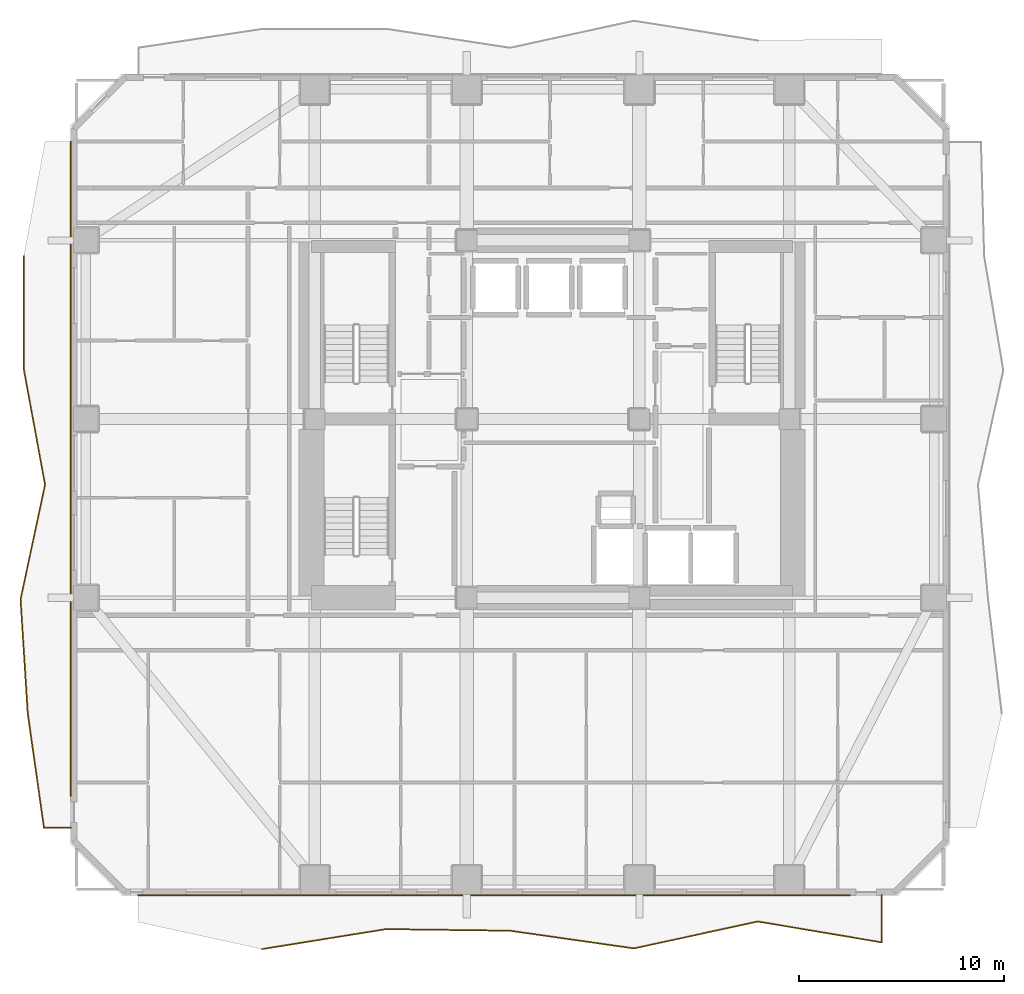
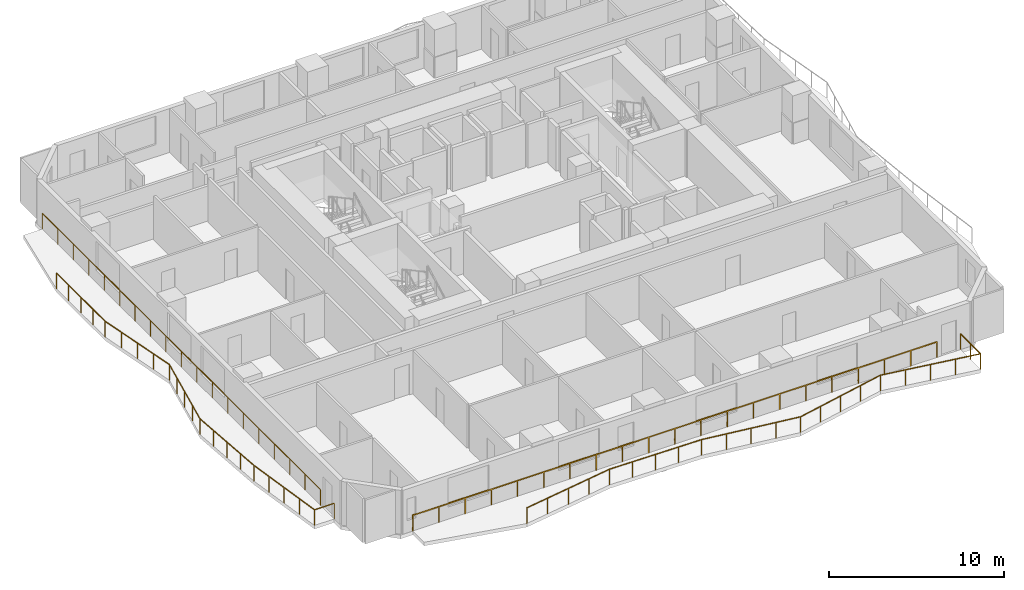
# One storey, part 8 of 11: 4 railings.
"""IFC4 building model written with IfcOpenShell, lengths in metres."""

from ifc_helpers import new_model, si_unit, direction, frame, origin, origin_2d, place, context, subcontext, project, spatial, rectangle, extrude, material, type_object, element, save


model = new_model("IFC4")

# Units and contexts
model_context = context("Model", 3, precision=1e-05, world=origin(), true_north=direction((0.0, 1.0)))
body_context = subcontext(model_context, "Body", "Model", "MODEL_VIEW")
ifc_project = project(units=[si_unit("LENGTHUNIT", "METRE"), si_unit("AREAUNIT", "SQUARE_METRE"), si_unit("VOLUMEUNIT", "CUBIC_METRE"), si_unit("PLANEANGLEUNIT", "RADIAN"), si_unit("MASSUNIT", "GRAM", prefix="KILO")], contexts=[model_context])

# Site, building, storey
site_placement = place(None, origin())
site = spatial("IfcSite", under=ifc_project, at=site_placement, CompositionType="ELEMENT")
building_placement = place(site_placement, origin())
building = spatial("IfcBuilding", under=site, at=building_placement, Name="Solanera Arch Residences", CompositionType="ELEMENT")
storey_placement = place(building_placement, frame((0.0, 0.0, 28.639892578125)))
storey = spatial("IfcBuildingStorey", under=building, at=storey_placement, Name="L07", CompositionType="ELEMENT", Elevation=28.639892578125)

# Railings
ifc_material = material(Name="Steel S355 (ASTM A992 / A572 Grade 50)", Category="steel")
railing_type = type_object("IfcRailingType", Name="Balustrade Railing BL-1100", PredefinedType="BALUSTRADE", material=ifc_material)
railing_1_placement = place(storey_placement, frame((10.8330078125, 4.89404296875, 0.0)))
element("IfcRailing", 1, at=railing_1_placement, inside=storey, type_object=railing_type, Name="L07 S Balcony Balustrade 1", PredefinedType="BALUSTRADE", context=body_context, shape_type="SweptSolid", body=[
    extrude(rectangle(XDim=0.048095703125, YDim=0.048095703125, at=origin_2d()), frame((0.0, 0.0, 1.09619140625), z_axis=(0.987274320338, 0.159026464466, 0.0), x_axis=(-0.159026464466, 0.987274320338, 0.0)), (0.0, 0.0, 1.0), 6.11181640625),
    extrude(rectangle(XDim=0.048095703125, YDim=0.048095703125, at=origin_2d()), frame((6.033935546875, 0.971923828125, 1.09619140625), z_axis=(0.999916686294, -0.012908155191, 0.0), x_axis=(0.012908155191, 0.999916686294, 0.0)), (0.0, 0.0, 1.0), 6.033447265625),
    extrude(rectangle(XDim=0.048095703125, YDim=0.048095703125, at=origin_2d()), frame((12.06689453125, 0.89404296875, 1.09619140625), z_axis=(0.989967912954, -0.14129236116, 0.0), x_axis=(0.14129236116, 0.989967912954, 0.0)), (0.0, 0.0, 1.0), 6.09423828125),
    extrude(rectangle(XDim=0.048095703125, YDim=0.048095703125, at=origin_2d()), frame((18.10009765625, 0.032958984375, 1.09619140625), z_axis=(0.977199553197, 0.212322945607, 0.0), x_axis=(-0.212322945607, 0.977199553197, 0.0)), (0.0, 0.0, 1.0), 6.1748046875),
    extrude(rectangle(XDim=0.048095703125, YDim=0.048095703125, at=origin_2d()), frame((24.134033203125, 1.343994140625, 1.09619140625), z_axis=(0.986084825782, -0.166242943799, 0.0), x_axis=(0.166242943799, 0.986084825782, 0.0)), (0.0, 0.0, 1.0), 6.1181640625),
    extrude(rectangle(XDim=0.048095703125, YDim=0.048095703125, at=origin_2d()), frame((30.1669921875, 0.326904296875, 1.09619140625), z_axis=(0.0, 1.0, 0.0), x_axis=(-1.0, 0.0, 0.0)), (0.0, 0.0, 1.0), 2.299072265625),
    extrude(rectangle(XDim=0.0419921875, YDim=0.0419921875, at=origin_2d()), origin(), (0.0, 0.0, 1.0), 1.072021484375),
    extrude(rectangle(XDim=0.0419921875, YDim=0.0419921875, at=origin_2d()), frame((1.508544921875, 0.242919921875, 0.0)), (0.0, 0.0, 1.0), 1.072021484375),
    extrude(rectangle(XDim=0.0419921875, YDim=0.0419921875, at=origin_2d()), frame((3.01708984375, 0.48583984375, 0.0)), (0.0, 0.0, 1.0), 1.072021484375),
    extrude(rectangle(XDim=0.0419921875, YDim=0.0419921875, at=origin_2d()), frame((4.525390625, 0.72900390625, 0.0)), (0.0, 0.0, 1.0), 1.072021484375),
    extrude(rectangle(XDim=0.0419921875, YDim=0.0419921875, at=origin_2d()), frame((6.033935546875, 0.971923828125, 0.0)), (0.0, 0.0, 1.0), 1.072021484375),
    extrude(rectangle(XDim=0.0419921875, YDim=0.0419921875, at=origin_2d()), frame((7.542236328125, 0.952392578125, 0.0)), (0.0, 0.0, 1.0), 1.072021484375),
    extrude(rectangle(XDim=0.0419921875, YDim=0.0419921875, at=origin_2d()), frame((9.05029296875, 0.93310546875, 0.0)), (0.0, 0.0, 1.0), 1.072021484375),
    extrude(rectangle(XDim=0.0419921875, YDim=0.0419921875, at=origin_2d()), frame((10.55859375, 0.91357421875, 0.0)), (0.0, 0.0, 1.0), 1.072021484375),
    extrude(rectangle(XDim=0.0419921875, YDim=0.0419921875, at=origin_2d()), frame((12.06689453125, 0.89404296875, 0.0)), (0.0, 0.0, 1.0), 1.072021484375),
    extrude(rectangle(XDim=0.0419921875, YDim=0.0419921875, at=origin_2d()), frame((13.5751953125, 0.6787109375, 0.0)), (0.0, 0.0, 1.0), 1.072021484375),
    extrude(rectangle(XDim=0.0419921875, YDim=0.0419921875, at=origin_2d()), frame((15.08349609375, 0.46337890625, 0.0)), (0.0, 0.0, 1.0), 1.072021484375),
    extrude(rectangle(XDim=0.0419921875, YDim=0.0419921875, at=origin_2d()), frame((16.591796875, 0.248291015625, 0.0)), (0.0, 0.0, 1.0), 1.072021484375),
    extrude(rectangle(XDim=0.0419921875, YDim=0.0419921875, at=origin_2d()), frame((18.10009765625, 0.032958984375, 0.0)), (0.0, 0.0, 1.0), 1.072021484375),
    extrude(rectangle(XDim=0.0419921875, YDim=0.0419921875, at=origin_2d()), frame((19.608642578125, 0.36083984375, 0.0)), (0.0, 0.0, 1.0), 1.072021484375),
    extrude(rectangle(XDim=0.0419921875, YDim=0.0419921875, at=origin_2d()), frame((21.1171875, 0.6884765625, 0.0)), (0.0, 0.0, 1.0), 1.072021484375),
    extrude(rectangle(XDim=0.0419921875, YDim=0.0419921875, at=origin_2d()), frame((22.62548828125, 1.01611328125, 0.0)), (0.0, 0.0, 1.0), 1.072021484375),
    extrude(rectangle(XDim=0.0419921875, YDim=0.0419921875, at=origin_2d()), frame((24.134033203125, 1.343994140625, 0.0)), (0.0, 0.0, 1.0), 1.072021484375),
    extrude(rectangle(XDim=0.0419921875, YDim=0.0419921875, at=origin_2d()), frame((25.642333984375, 1.08984375, 0.0)), (0.0, 0.0, 1.0), 1.072021484375),
    extrude(rectangle(XDim=0.0419921875, YDim=0.0419921875, at=origin_2d()), frame((27.150390625, 0.83544921875, 0.0)), (0.0, 0.0, 1.0), 1.072021484375),
    extrude(rectangle(XDim=0.0419921875, YDim=0.0419921875, at=origin_2d()), frame((28.65869140625, 0.5810546875, 0.0)), (0.0, 0.0, 1.0), 1.072021484375),
    extrude(rectangle(XDim=0.0419921875, YDim=0.0419921875, at=origin_2d()), frame((30.1669921875, 0.326904296875, 0.0)), (0.0, 0.0, 1.0), 1.072021484375),
    extrude(rectangle(XDim=0.0419921875, YDim=0.0419921875, at=origin_2d()), frame((30.1669921875, 1.4765625, 0.0)), (0.0, 0.0, 1.0), 1.072021484375),
    extrude(rectangle(XDim=0.0419921875, YDim=0.0419921875, at=origin_2d()), frame((30.1669921875, 2.6259765625, 0.0)), (0.0, 0.0, 1.0), 1.072021484375),
])
railing_2_placement = place(storey_placement, frame((39.43408203125, 7.52001953125, 0.0)))
element("IfcRailing", 2, at=railing_2_placement, inside=storey, type_object=railing_type, Name="L07 S Balcony Balustrade 2", PredefinedType="BALUSTRADE", context=body_context, shape_type="SweptSolid", body=[
    extrude(rectangle(XDim=0.048095703125, YDim=0.048095703125, at=origin_2d()), frame((0.0, 0.0, 1.09619140625), z_axis=(-1.0, 0.0, 0.0), x_axis=(0.0, -1.0, 0.0)), (0.0, 0.0, 1.0), 34.634033203125),
    extrude(rectangle(XDim=0.0419921875, YDim=0.0419921875, at=origin_2d()), origin(), (0.0, 0.0, 1.0), 1.072021484375),
    extrude(rectangle(XDim=0.0419921875, YDim=0.0419921875, at=origin_2d()), frame((-1.731689453125, 0.0, 0.0)), (0.0, 0.0, 1.0), 1.072021484375),
    extrude(rectangle(XDim=0.0419921875, YDim=0.0419921875, at=origin_2d()), frame((-3.46337890625, 0.0, 0.0)), (0.0, 0.0, 1.0), 1.072021484375),
    extrude(rectangle(XDim=0.0419921875, YDim=0.0419921875, at=origin_2d()), frame((-5.195068359375, 0.0, 0.0)), (0.0, 0.0, 1.0), 1.072021484375),
    extrude(rectangle(XDim=0.0419921875, YDim=0.0419921875, at=origin_2d()), frame((-6.9267578125, 0.0, 0.0)), (0.0, 0.0, 1.0), 1.072021484375),
    extrude(rectangle(XDim=0.0419921875, YDim=0.0419921875, at=origin_2d()), frame((-8.658447265625, 0.0, 0.0)), (0.0, 0.0, 1.0), 1.072021484375),
    extrude(rectangle(XDim=0.0419921875, YDim=0.0419921875, at=origin_2d()), frame((-10.39013671875, 0.0, 0.0)), (0.0, 0.0, 1.0), 1.072021484375),
    extrude(rectangle(XDim=0.0419921875, YDim=0.0419921875, at=origin_2d()), frame((-12.121826171875, 0.0, 0.0)), (0.0, 0.0, 1.0), 1.072021484375),
    extrude(rectangle(XDim=0.0419921875, YDim=0.0419921875, at=origin_2d()), frame((-13.853515625, 0.0, 0.0)), (0.0, 0.0, 1.0), 1.072021484375),
    extrude(rectangle(XDim=0.0419921875, YDim=0.0419921875, at=origin_2d()), frame((-15.585205078125, 0.0, 0.0)), (0.0, 0.0, 1.0), 1.072021484375),
    extrude(rectangle(XDim=0.0419921875, YDim=0.0419921875, at=origin_2d()), frame((-17.31689453125, 0.0, 0.0)), (0.0, 0.0, 1.0), 1.072021484375),
    extrude(rectangle(XDim=0.0419921875, YDim=0.0419921875, at=origin_2d()), frame((-19.048828125, 0.0, 0.0)), (0.0, 0.0, 1.0), 1.072021484375),
    extrude(rectangle(XDim=0.0419921875, YDim=0.0419921875, at=origin_2d()), frame((-20.780517578125, 0.0, 0.0)), (0.0, 0.0, 1.0), 1.072021484375),
    extrude(rectangle(XDim=0.0419921875, YDim=0.0419921875, at=origin_2d()), frame((-22.51220703125, 0.0, 0.0)), (0.0, 0.0, 1.0), 1.072021484375),
    extrude(rectangle(XDim=0.0419921875, YDim=0.0419921875, at=origin_2d()), frame((-24.243896484375, 0.0, 0.0)), (0.0, 0.0, 1.0), 1.072021484375),
    extrude(rectangle(XDim=0.0419921875, YDim=0.0419921875, at=origin_2d()), frame((-25.9755859375, 0.0, 0.0)), (0.0, 0.0, 1.0), 1.072021484375),
    extrude(rectangle(XDim=0.0419921875, YDim=0.0419921875, at=origin_2d()), frame((-27.707275390625, 0.0, 0.0)), (0.0, 0.0, 1.0), 1.072021484375),
    extrude(rectangle(XDim=0.0419921875, YDim=0.0419921875, at=origin_2d()), frame((-29.43896484375, 0.0, 0.0)), (0.0, 0.0, 1.0), 1.072021484375),
    extrude(rectangle(XDim=0.0419921875, YDim=0.0419921875, at=origin_2d()), frame((-31.170654296875, 0.0, 0.0)), (0.0, 0.0, 1.0), 1.072021484375),
    extrude(rectangle(XDim=0.0419921875, YDim=0.0419921875, at=origin_2d()), frame((-32.90234375, 0.0, 0.0)), (0.0, 0.0, 1.0), 1.072021484375),
    extrude(rectangle(XDim=0.0419921875, YDim=0.0419921875, at=origin_2d()), frame((-34.634033203125, 0.0, 0.0)), (0.0, 0.0, 1.0), 1.072021484375),
])
railing_3_placement = place(storey_placement, frame((-0.77099609375, 38.633056640625, 0.0)))
element("IfcRailing", 3, at=railing_3_placement, inside=storey, type_object=railing_type, Name="L07 W Balcony Balustrade 1", PredefinedType="BALUSTRADE", context=body_context, shape_type="SweptSolid", body=[
    extrude(rectangle(XDim=0.048095703125, YDim=0.048095703125, at=origin_2d()), frame((0.0, 0.0, 1.09619140625), z_axis=(0.001622876059, -0.999998683136, 0.0), x_axis=(0.999998683136, 0.001622876059, 0.0)), (0.0, 0.0, 1.0), 5.566162109375),
    extrude(rectangle(XDim=0.048095703125, YDim=0.048095703125, at=origin_2d()), frame((0.009033203125, -5.566162109375, 1.09619140625), z_axis=(0.181063628986, -0.983471383548, 0.0), x_axis=(0.983471383548, 0.181063628986, 0.0)), (0.0, 0.0, 1.0), 5.660400390625),
    extrude(rectangle(XDim=0.048095703125, YDim=0.048095703125, at=origin_2d()), frame((1.033935546875, -11.133056640625, 1.09619140625), z_axis=(-0.209359223468, -0.977838798345, 0.0), x_axis=(0.977838798345, -0.209359223468, 0.0)), (0.0, 0.0, 1.0), 5.693115234375),
    extrude(rectangle(XDim=0.048095703125, YDim=0.048095703125, at=origin_2d()), frame((-0.157958984375, -16.699951171875, 1.09619140625), z_axis=(0.062729846452, -0.998030543803, 0.0), x_axis=(0.998030543803, 0.062729846452, 0.0)), (0.0, 0.0, 1.0), 5.5771484375),
    extrude(rectangle(XDim=0.048095703125, YDim=0.048095703125, at=origin_2d()), frame((0.19189453125, -22.26611328125, 1.09619140625), z_axis=(0.140168928366, -0.990127603656, 0.0), x_axis=(0.990127603656, 0.140168928366, 0.0)), (0.0, 0.0, 1.0), 5.622314453125),
    extrude(rectangle(XDim=0.048095703125, YDim=0.048095703125, at=origin_2d()), frame((0.97998046875, -27.8330078125, 1.09619140625), z_axis=(1.0, 0.0, 0.0), x_axis=(0.0, 1.0, 0.0)), (0.0, 0.0, 1.0), 1.31103515625),
    extrude(rectangle(XDim=0.0419921875, YDim=0.0419921875, at=origin_2d()), origin(), (0.0, 0.0, 1.0), 1.072021484375),
    extrude(rectangle(XDim=0.0419921875, YDim=0.0419921875, at=origin_2d()), frame((0.002197265625, -1.3916015625, 0.0)), (0.0, 0.0, 1.0), 1.072021484375),
    extrude(rectangle(XDim=0.0419921875, YDim=0.0419921875, at=origin_2d()), frame((0.00439453125, -2.783203125, 0.0)), (0.0, 0.0, 1.0), 1.072021484375),
    extrude(rectangle(XDim=0.0419921875, YDim=0.0419921875, at=origin_2d()), frame((0.0068359375, -4.174560546875, 0.0)), (0.0, 0.0, 1.0), 1.072021484375),
    extrude(rectangle(XDim=0.0419921875, YDim=0.0419921875, at=origin_2d()), frame((0.009033203125, -5.566162109375, 0.0)), (0.0, 0.0, 1.0), 1.072021484375),
    extrude(rectangle(XDim=0.0419921875, YDim=0.0419921875, at=origin_2d()), frame((0.26513671875, -6.9580078125, 0.0)), (0.0, 0.0, 1.0), 1.072021484375),
    extrude(rectangle(XDim=0.0419921875, YDim=0.0419921875, at=origin_2d()), frame((0.521484375, -8.349609375, 0.0)), (0.0, 0.0, 1.0), 1.072021484375),
    extrude(rectangle(XDim=0.0419921875, YDim=0.0419921875, at=origin_2d()), frame((0.77783203125, -9.7412109375, 0.0)), (0.0, 0.0, 1.0), 1.072021484375),
    extrude(rectangle(XDim=0.0419921875, YDim=0.0419921875, at=origin_2d()), frame((1.033935546875, -11.133056640625, 0.0)), (0.0, 0.0, 1.0), 1.072021484375),
    extrude(rectangle(XDim=0.0419921875, YDim=0.0419921875, at=origin_2d()), frame((0.73583984375, -12.52490234375, 0.0)), (0.0, 0.0, 1.0), 1.072021484375),
    extrude(rectangle(XDim=0.0419921875, YDim=0.0419921875, at=origin_2d()), frame((0.43798828125, -13.91650390625, 0.0)), (0.0, 0.0, 1.0), 1.072021484375),
    extrude(rectangle(XDim=0.0419921875, YDim=0.0419921875, at=origin_2d()), frame((0.14013671875, -15.30810546875, 0.0)), (0.0, 0.0, 1.0), 1.072021484375),
    extrude(rectangle(XDim=0.0419921875, YDim=0.0419921875, at=origin_2d()), frame((-0.157958984375, -16.699951171875, 0.0)), (0.0, 0.0, 1.0), 1.072021484375),
    extrude(rectangle(XDim=0.0419921875, YDim=0.0419921875, at=origin_2d()), frame((-0.070556640625, -18.091552734375, 0.0)), (0.0, 0.0, 1.0), 1.072021484375),
    extrude(rectangle(XDim=0.0419921875, YDim=0.0419921875, at=origin_2d()), frame((0.01708984375, -19.48291015625, 0.0)), (0.0, 0.0, 1.0), 1.072021484375),
    extrude(rectangle(XDim=0.0419921875, YDim=0.0419921875, at=origin_2d()), frame((0.1044921875, -20.87451171875, 0.0)), (0.0, 0.0, 1.0), 1.072021484375),
    extrude(rectangle(XDim=0.0419921875, YDim=0.0419921875, at=origin_2d()), frame((0.19189453125, -22.26611328125, 0.0)), (0.0, 0.0, 1.0), 1.072021484375),
    extrude(rectangle(XDim=0.0419921875, YDim=0.0419921875, at=origin_2d()), frame((0.388916015625, -23.65771484375, 0.0)), (0.0, 0.0, 1.0), 1.072021484375),
    extrude(rectangle(XDim=0.0419921875, YDim=0.0419921875, at=origin_2d()), frame((0.5859375, -25.049560546875, 0.0)), (0.0, 0.0, 1.0), 1.072021484375),
    extrude(rectangle(XDim=0.0419921875, YDim=0.0419921875, at=origin_2d()), frame((0.782958984375, -26.44140625, 0.0)), (0.0, 0.0, 1.0), 1.072021484375),
    extrude(rectangle(XDim=0.0419921875, YDim=0.0419921875, at=origin_2d()), frame((0.97998046875, -27.8330078125, 0.0)), (0.0, 0.0, 1.0), 1.072021484375),
    extrude(rectangle(XDim=0.0419921875, YDim=0.0419921875, at=origin_2d()), frame((2.291015625, -27.8330078125, 0.0)), (0.0, 0.0, 1.0), 1.072021484375),
])
railing_4_placement = place(storey_placement, frame((1.52001953125, 12.365966796875, 0.0)))
element("IfcRailing", 4, at=railing_4_placement, inside=storey, type_object=railing_type, Name="L07 W Balcony Balustrade 2", PredefinedType="BALUSTRADE", context=body_context, shape_type="SweptSolid", body=[
    extrude(rectangle(XDim=0.048095703125, YDim=0.048095703125, at=origin_2d()), frame((0.0, 0.0, 1.09619140625), z_axis=(0.0, 1.0, 0.0), x_axis=(-1.0, 0.0, 0.0)), (0.0, 0.0, 1.0), 31.833984375),
    extrude(rectangle(XDim=0.0419921875, YDim=0.0419921875, at=origin_2d()), origin(), (0.0, 0.0, 1.0), 1.072021484375),
    extrude(rectangle(XDim=0.0419921875, YDim=0.0419921875, at=origin_2d()), frame((0.0, 1.7685546875, 0.0)), (0.0, 0.0, 1.0), 1.072021484375),
    extrude(rectangle(XDim=0.0419921875, YDim=0.0419921875, at=origin_2d()), frame((0.0, 3.537109375, 0.0)), (0.0, 0.0, 1.0), 1.072021484375),
    extrude(rectangle(XDim=0.0419921875, YDim=0.0419921875, at=origin_2d()), frame((0.0, 5.3056640625, 0.0)), (0.0, 0.0, 1.0), 1.072021484375),
    extrude(rectangle(XDim=0.0419921875, YDim=0.0419921875, at=origin_2d()), frame((0.0, 7.07421875, 0.0)), (0.0, 0.0, 1.0), 1.072021484375),
    extrude(rectangle(XDim=0.0419921875, YDim=0.0419921875, at=origin_2d()), frame((0.0, 8.8427734375, 0.0)), (0.0, 0.0, 1.0), 1.072021484375),
    extrude(rectangle(XDim=0.0419921875, YDim=0.0419921875, at=origin_2d()), frame((0.0, 10.611328125, 0.0)), (0.0, 0.0, 1.0), 1.072021484375),
    extrude(rectangle(XDim=0.0419921875, YDim=0.0419921875, at=origin_2d()), frame((0.0, 12.3798828125, 0.0)), (0.0, 0.0, 1.0), 1.072021484375),
    extrude(rectangle(XDim=0.0419921875, YDim=0.0419921875, at=origin_2d()), frame((0.0, 14.1484375, 0.0)), (0.0, 0.0, 1.0), 1.072021484375),
    extrude(rectangle(XDim=0.0419921875, YDim=0.0419921875, at=origin_2d()), frame((0.0, 15.9169921875, 0.0)), (0.0, 0.0, 1.0), 1.072021484375),
    extrude(rectangle(XDim=0.0419921875, YDim=0.0419921875, at=origin_2d()), frame((0.0, 17.685546875, 0.0)), (0.0, 0.0, 1.0), 1.072021484375),
    extrude(rectangle(XDim=0.0419921875, YDim=0.0419921875, at=origin_2d()), frame((0.0, 19.4541015625, 0.0)), (0.0, 0.0, 1.0), 1.072021484375),
    extrude(rectangle(XDim=0.0419921875, YDim=0.0419921875, at=origin_2d()), frame((0.0, 21.22265625, 0.0)), (0.0, 0.0, 1.0), 1.072021484375),
    extrude(rectangle(XDim=0.0419921875, YDim=0.0419921875, at=origin_2d()), frame((0.0, 22.9912109375, 0.0)), (0.0, 0.0, 1.0), 1.072021484375),
    extrude(rectangle(XDim=0.0419921875, YDim=0.0419921875, at=origin_2d()), frame((0.0, 24.759765625, 0.0)), (0.0, 0.0, 1.0), 1.072021484375),
    extrude(rectangle(XDim=0.0419921875, YDim=0.0419921875, at=origin_2d()), frame((0.0, 26.5283203125, 0.0)), (0.0, 0.0, 1.0), 1.072021484375),
    extrude(rectangle(XDim=0.0419921875, YDim=0.0419921875, at=origin_2d()), frame((0.0, 28.296875, 0.0)), (0.0, 0.0, 1.0), 1.072021484375),
    extrude(rectangle(XDim=0.0419921875, YDim=0.0419921875, at=origin_2d()), frame((0.0, 30.0654296875, 0.0)), (0.0, 0.0, 1.0), 1.072021484375),
    extrude(rectangle(XDim=0.0419921875, YDim=0.0419921875, at=origin_2d()), frame((0.0, 31.833984375, 0.0)), (0.0, 0.0, 1.0), 1.072021484375),
])

save(model, "model.ifc")
